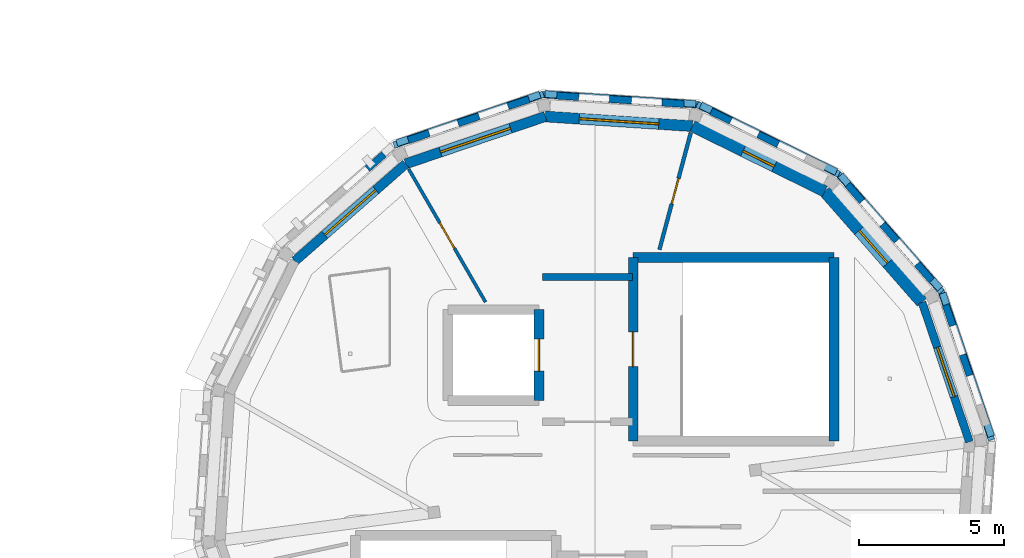
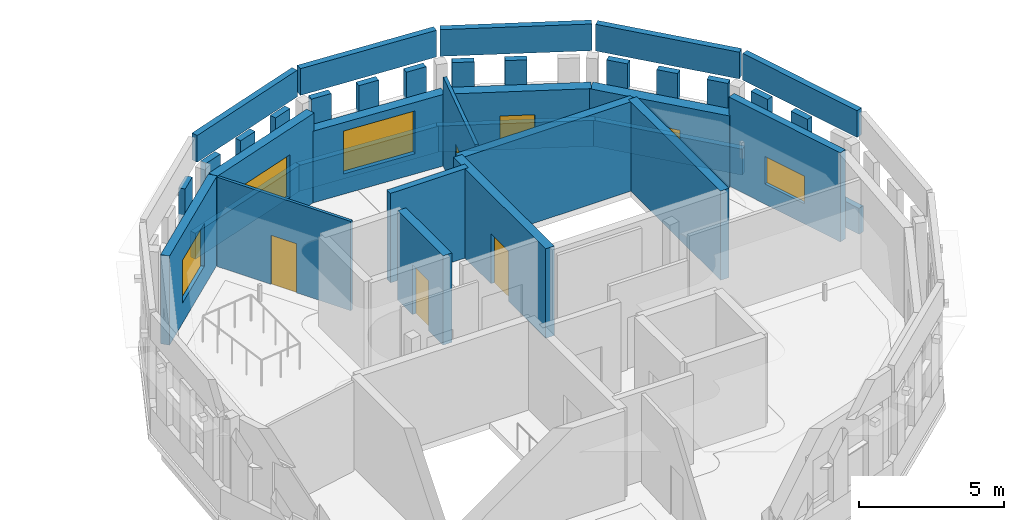
# One storey, part 15 of 18: 37 walls, 6 windows, 4 doors, 10 openings.
"""IFC4 building model written with IfcOpenShell, lengths in metres."""

from ifc_helpers import new_model, si_unit, direction, frame, frame_2d, origin, place, context, subcontext, project, spatial, rectangle, extrude, material, layer, layer_set, type_object, element, fill, save


model = new_model("IFC4")

# Units and contexts
model_context = context("Model", 3, precision=1e-05, world=origin(), true_north=direction((0.0, 1.0)))
body_context = subcontext(model_context, "Body", "Model", "MODEL_VIEW")
ifc_project = project(units=[si_unit("LENGTHUNIT", "METRE"), si_unit("AREAUNIT", "SQUARE_METRE"), si_unit("VOLUMEUNIT", "CUBIC_METRE"), si_unit("PLANEANGLEUNIT", "RADIAN"), si_unit("MASSUNIT", "GRAM", prefix="KILO")], contexts=[model_context])

# Site, building, storey
site_placement = place(None, origin())
site = spatial("IfcSite", under=ifc_project, at=site_placement, CompositionType="ELEMENT")
building_placement = place(site_placement, origin())
building = spatial("IfcBuilding", under=site, at=building_placement, Name="Wrenclough Park School", CompositionType="ELEMENT")
storey_placement = place(building_placement, frame((0.0, 0.0, 20.800048828125)))
storey = spatial("IfcBuildingStorey", under=building, at=storey_placement, Name="L05", CompositionType="ELEMENT", Elevation=20.800048828125)

# Walls
ifc_material_1 = material(Name="Perforated open-bond Staffordshire and Manchester brick screen pier", Category="masonry")
ifc_layer_1 = layer(ifc_material_1, 0.2451171875)
ifc_layer_set_1 = layer_set([ifc_layer_1], Name="Perforated open-bond Staffordshire and Manchester brick screen pier")
wall_type_1 = type_object("IfcWallType", Name="ENV-BS-PR245", PredefinedType="ELEMENTEDWALL", material=ifc_layer_set_1)
for number, where, z_axis, x_axis, name in (
    (1, (187.4541015625, 97.49609375, 1.08984375), (0.0, 0.0, 1.0), (-0.321620473335, 0.946868666253, 0.0), "D5 L05 perforated brick screen pier 1006"),
    (2, (186.868896484375, 99.22021484375, 1.08984375), (0.0, 0.0, 1.0), (-0.321620473335, 0.946868666253, 0.0), "D5 L05 perforated brick screen pier 1007"),
):
    element("IfcWall", number, at=place(storey_placement, frame(where, z_axis=z_axis, x_axis=x_axis)), inside=storey, type_object=wall_type_1, Name=name, PredefinedType="ELEMENTEDWALL", context=body_context, shape_type="SweptSolid", body=[
        extrude(rectangle(XDim=0.759765625, YDim=0.2451171875, at=frame_2d((0.3798828125, 0.0))), origin(), (0.0, 0.0, 1.0), 2.650146484375),
    ])
wall_1_placement = place(storey_placement, frame((186.139404296875, 100.780029296875, 1.08984375), z_axis=(0.0, 0.0, 1.0), x_axis=(-0.659345470196, 0.751840109951, 0.0)))
element("IfcWall", 3, at=wall_1_placement, inside=storey, type_object=wall_type_1, Name="D5 L05 perforated brick screen pier 1008", PredefinedType="ELEMENTEDWALL", context=body_context, shape_type="SweptSolid", body=[
    extrude(rectangle(XDim=0.76025390625, YDim=0.2451171875, at=frame_2d((0.380126953125, 0.0))), origin(), (0.0, 0.0, 1.0), 2.650146484375),
])
wall_2_placement = place(storey_placement, frame((184.938720703125, 102.149169921875, 1.08984375), z_axis=(0.0, 0.0, 1.0), x_axis=(-0.659323125798, 0.751859704857, 0.0)))
element("IfcWall", 4, at=wall_2_placement, inside=storey, type_object=wall_type_1, Name="D5 L05 perforated brick screen pier 1009", PredefinedType="ELEMENTEDWALL", context=body_context, shape_type="SweptSolid", body=[
    extrude(rectangle(XDim=0.759765625, YDim=0.2451171875, at=frame_2d((0.3798828125, 0.0))), origin(), (0.0, 0.0, 1.0), 2.650146484375),
])
for number, where, z_axis, x_axis, name in (
    (5, (183.73828125, 103.51806640625, 1.08984375), (0.0, 0.0, 1.0), (-0.659504701015, 0.751700438565, 0.0), "D5 L05 perforated brick screen pier 1010"),
    (6, (180.834228515625, 105.485595703125, 1.08984375), (0.0, 0.0, 1.0), (-0.896982570774, 0.442065908805, 0.0), "D5 L05 perforated brick screen pier 1012"),
    (7, (179.201171875, 106.290771484375, 1.08984375), (0.0, 0.0, 1.0), (-0.896855160379, 0.442324339485, 0.0), "D5 L05 perforated brick screen pier 1013"),
):
    element("IfcWall", number, at=place(storey_placement, frame(where, z_axis=z_axis, x_axis=x_axis)), inside=storey, type_object=wall_type_1, Name=name, PredefinedType="ELEMENTEDWALL", context=body_context, shape_type="SweptSolid", body=[
        extrude(rectangle(XDim=0.760009765625, YDim=0.2451171875, at=frame_2d((0.3798828125, 0.0))), origin(), (0.0, 0.0, 1.0), 2.650146484375),
    ])
wall_3_placement = place(storey_placement, frame((177.58251953125, 106.878173828125, 1.08984375), z_axis=(0.0, 0.0, 1.0), x_axis=(-0.997872390908, 0.065197327118, 0.0)))
element("IfcWall", 8, at=wall_3_placement, inside=storey, type_object=wall_type_1, Name="D5 L05 perforated brick screen pier 1014", PredefinedType="ELEMENTEDWALL", context=body_context, shape_type="SweptSolid", body=[
    extrude(rectangle(XDim=0.76025390625, YDim=0.2451171875, at=frame_2d((0.380126953125, 0.0))), origin(), (0.0, 0.0, 1.0), 2.650146484375),
])
for number, where, z_axis, x_axis, name in (
    (9, (175.765380859375, 106.997314453125, 1.08984375), (0.0, 0.0, 1.0), (-0.997871025061, 0.065218228618, 0.0), "D5 L05 perforated brick screen pier 1015"),
    (10, (173.948486328125, 107.1162109375, 1.08984375), (0.0, 0.0, 1.0), (-0.997850066036, 0.065538124105, 0.0), "D5 L05 perforated brick screen pier 1016"),
    (11, (172.228271484375, 107.039306640625, 1.08984375), (0.0, 0.0, 1.0), (-0.946901886192, -0.321522655386, 0.0), "D5 L05 perforated brick screen pier 1017"),
):
    element("IfcWall", number, at=place(storey_placement, frame(where, z_axis=z_axis, x_axis=x_axis)), inside=storey, type_object=wall_type_1, Name=name, PredefinedType="ELEMENTEDWALL", context=body_context, shape_type="SweptSolid", body=[
        extrude(rectangle(XDim=0.760009765625, YDim=0.2451171875, at=frame_2d((0.3798828125, 0.0))), origin(), (0.0, 0.0, 1.0), 2.650146484375),
    ])
for number, where, z_axis, x_axis, name in (
    (12, (170.50390625, 106.4541015625, 1.08984375), (0.0, 0.0, 1.0), (-0.946868666253, -0.321620473335, 0.0), "D5 L05 perforated brick screen pier 1018"),
    (13, (168.77978515625, 105.868896484375, 1.08984375), (0.0, 0.0, 1.0), (-0.946868666253, -0.321620473335, 0.0), "D5 L05 perforated brick screen pier 1019"),
):
    element("IfcWall", number, at=place(storey_placement, frame(where, z_axis=z_axis, x_axis=x_axis)), inside=storey, type_object=wall_type_1, Name=name, PredefinedType="ELEMENTEDWALL", context=body_context, shape_type="SweptSolid", body=[
        extrude(rectangle(XDim=0.759765625, YDim=0.2451171875, at=frame_2d((0.3798828125, 0.0))), origin(), (0.0, 0.0, 1.0), 2.650146484375),
    ])
wall_4_placement = place(storey_placement, frame((167.219970703125, 105.139404296875, 1.08984375), z_axis=(0.0, 0.0, 1.0), x_axis=(-0.751840109951, -0.659345470196, 0.0)))
element("IfcWall", 14, at=wall_4_placement, inside=storey, type_object=wall_type_1, Name="D5 L05 perforated brick screen pier 1020", PredefinedType="ELEMENTEDWALL", context=body_context, shape_type="SweptSolid", body=[
    extrude(rectangle(XDim=0.76025390625, YDim=0.2451171875, at=frame_2d((0.380126953125, 0.0))), origin(), (0.0, 0.0, 1.0), 2.650146484375),
])
ifc_material_2 = material(Name="Open-bond Manchester multi-stock brick spandrel screen", Category="masonry")
ifc_layer_2 = layer(ifc_material_2, 0.22509765625)
ifc_layer_set_2 = layer_set([ifc_layer_2], Name="Open-bond Manchester multi-stock brick spandrel screen")
wall_type_2 = type_object("IfcWallType", Name="ENV-BS-SP225", PredefinedType="ELEMENTEDWALL", material=ifc_layer_set_2)
for number, where, z_axis, x_axis, name in (
    (15, (188.209716796875, 95.26953125, 0.0), (0.0, 0.0, 1.0), (-0.321398691789, 0.946943969259, 0.0), "D5 L05 open-bond brick screen spandrel 0281"),
    (16, (186.489013671875, 100.38134765625, 0.0), (0.0, 0.0, 1.0), (-0.659333231933, 0.751850842434, 0.0), "D5 L05 open-bond brick screen spandrel 0282"),
    (17, (182.943115234375, 104.445556640625, 0.0), (0.0, 0.0, 1.0), (-0.896871842035, 0.442290514216, 0.0), "D5 L05 open-bond brick screen spandrel 0283"),
):
    element("IfcWall", number, at=place(storey_placement, frame(where, z_axis=z_axis, x_axis=x_axis)), inside=storey, type_object=wall_type_2, Name=name, PredefinedType="ELEMENTEDWALL", context=body_context, shape_type="SweptSolid", body=[
        extrude(rectangle(XDim=5.46240234375, YDim=0.22509765625, at=frame_2d((2.731201171875, 0.0))), origin(), (0.0, 0.0, 1.0), 1.08984375),
    ])
wall_5_placement = place(storey_placement, frame((178.11181640625, 106.843505859375, 0.0), z_axis=(0.0, 0.0, 1.0), x_axis=(-0.997860057416, 0.065385822726, 0.0)))
element("IfcWall", 18, at=wall_5_placement, inside=storey, type_object=wall_type_2, Name="D5 L05 open-bond brick screen spandrel 0284", PredefinedType="ELEMENTEDWALL", context=body_context, shape_type="SweptSolid", body=[
    extrude(rectangle(XDim=5.462646484375, YDim=0.22509765625, at=frame_2d((2.7314453125, 0.0))), origin(), (0.0, 0.0, 1.0), 1.08984375),
])
wall_6_placement = place(storey_placement, frame((172.73046875, 107.209716796875, 0.0), z_axis=(0.0, 0.0, 1.0), x_axis=(-0.946943969259, -0.321398691789, 0.0)))
element("IfcWall", 19, at=wall_6_placement, inside=storey, type_object=wall_type_2, Name="D5 L05 open-bond brick screen spandrel 0285", PredefinedType="ELEMENTEDWALL", context=body_context, shape_type="SweptSolid", body=[
    extrude(rectangle(XDim=5.46240234375, YDim=0.22509765625, at=frame_2d((2.731201171875, 0.0))), origin(), (0.0, 0.0, 1.0), 1.08984375),
])

# Wall, opening, window
ifc_material_3 = material(Name="Link wing brick-faced cavity wall Concrete C32/40", Category="masonry")
ifc_layer_3 = layer(ifc_material_3, 0.27490234375)
ifc_layer_set_3 = layer_set([ifc_layer_3], Name="Link wing brick-faced cavity wall Concrete C32/40")
wall_type_3 = type_object("IfcWallType", Name="ENV-EW-275", PredefinedType="SOLIDWALL", material=ifc_layer_set_3)
wall_7_placement = place(storey_placement, frame((185.808349609375, 100.02880859375, 0.0), z_axis=(0.0, 0.0, 1.0), x_axis=(0.321398403796, -0.946944067006, 0.0)))
wall_7 = element("IfcWall", 20, at=wall_7_placement, inside=storey, type_object=wall_type_3, Name="L05 insulated brick external wall 0406", PredefinedType="SOLIDWALL", context=body_context, shape_type="SweptSolid", body=[
    extrude(rectangle(XDim=5.0947265625, YDim=0.27490234375, at=frame_2d((2.54736328125, 0.0))), origin(), (0.0, 0.0, 1.0), 3.739990234375),
])
opening_1_placement = place(wall_7_placement, frame((1.6474609375, 0.0, 0.85009765625)))
opening_1 = element("IfcOpeningElement", 21, at=opening_1_placement, cuts=wall_7, Name="Opening WN-39", PredefinedType="OPENING", context=body_context, shape_type="SweptSolid", body=[
    extrude(rectangle(XDim=1.800048828125, YDim=1.14990234375, at=frame_2d((0.89990234375, 0.574951171875))), frame((0.0, 0.1474609375, 0.0), z_axis=(0.0, -1.0, 0.0), x_axis=(1.0, 0.0, 0.0)), (0.0, 0.0, 1.0), 0.294921875),
])
ifc_material_4 = material(Name="Thermally broken aluminium and double-glazed low-e glass", Category="aluminium")
window_type_1 = type_object("IfcWindowType", Name="ENV-WN-39", PartitioningType="DOUBLE_PANEL_VERTICAL", PredefinedType="WINDOW", material=ifc_material_4)
window_1_placement = place(opening_1_placement, origin())
window_1 = element("IfcWindow", 22, at=window_1_placement, inside=storey, type_object=window_type_1, Name="L05 scheduled facade window 0654", OverallHeight=1.14990234375, OverallWidth=1.800048828125, PartitioningType="SINGLE_PANEL", PredefinedType="WINDOW", context=body_context, shape_type="SweptSolid", body=[
    extrude(rectangle(XDim=1.800048828125, YDim=1.14990234375, at=frame_2d((0.89990234375, 0.574951171875))), frame((0.0, 0.030029296875, 0.0), z_axis=(0.0, -1.0, 0.0), x_axis=(1.0, 0.0, 0.0)), (0.0, 0.0, 1.0), 0.06005859375),
])
fill(opening_1, window_1)

ifc_material_5 = material(Name="Manchester multi-stock brick and Concrete C32/40 inner leaf", Category="masonry")
ifc_layer_4 = layer(ifc_material_5, 0.324951171875)
ifc_layer_set_4 = layer_set([ifc_layer_4], Name="Manchester multi-stock brick and Concrete C32/40 inner leaf")
wall_type_4 = type_object("IfcWallType", Name="ENV-EW-325", PredefinedType="SOLIDWALL", material=ifc_layer_set_4)
wall_8_placement = place(storey_placement, frame((164.140625, 101.44921875, 0.0), z_axis=(0.0, 0.0, 1.0), x_axis=(0.751857877577, 0.659325209533, 0.0)))
wall_8 = element("IfcWall", 23, at=wall_8_placement, inside=storey, type_object=wall_type_4, Name="L05 insulated brick external wall 0401", PredefinedType="SOLIDWALL", context=body_context, shape_type="SweptSolid", body=[
    extrude(rectangle(XDim=5.0947265625, YDim=0.324951171875, at=frame_2d((2.54736328125, 0.0))), origin(), (0.0, 0.0, 1.0), 3.739990234375),
])
opening_2_placement = place(wall_8_placement, frame((1.372314453125, 0.0, 0.85009765625)))
opening_2 = element("IfcOpeningElement", 24, at=opening_2_placement, cuts=wall_8, Name="Opening WN-34", PredefinedType="OPENING", context=body_context, shape_type="SweptSolid", body=[
    extrude(rectangle(XDim=2.35009765625, YDim=1.800048828125, at=frame_2d((1.175048828125, 0.89990234375))), frame((0.0, 0.17236328125, 0.0), z_axis=(0.0, -1.0, 0.0), x_axis=(1.0, 0.0, 0.0)), (0.0, 0.0, 1.0), 0.344970703125),
])
window_type_2 = type_object("IfcWindowType", Name="ENV-WN-34", PartitioningType="DOUBLE_PANEL_VERTICAL", PredefinedType="WINDOW", material=ifc_material_4)
window_2_placement = place(opening_2_placement, origin())
window_2 = element("IfcWindow", 25, at=window_2_placement, inside=storey, type_object=window_type_2, Name="L05 scheduled facade window 0649", OverallHeight=1.800048828125, OverallWidth=2.35009765625, PartitioningType="SINGLE_PANEL", PredefinedType="WINDOW", context=body_context, shape_type="SweptSolid", body=[
    extrude(rectangle(XDim=2.35009765625, YDim=1.800048828125, at=frame_2d((1.175048828125, 0.89990234375))), frame((0.0, 0.030029296875, 0.0), z_axis=(0.0, -1.0, 0.0), x_axis=(1.0, 0.0, 0.0)), (0.0, 0.0, 1.0), 0.06005859375),
])
fill(opening_2, window_2)

ifc_material_6 = material(Name="Staffordshire blue-grey brick and Concrete C35/45 inner leaf", Category="masonry")
ifc_layer_5 = layer(ifc_material_6, 0.35009765625)
ifc_layer_set_5 = layer_set([ifc_layer_5], Name="Staffordshire blue-grey brick and Concrete C35/45 inner leaf")
wall_type_5 = type_object("IfcWallType", Name="ENV-EW-350", PredefinedType="SOLIDWALL", material=ifc_layer_set_5)
wall_9_placement = place(storey_placement, frame((167.97119140625, 104.808349609375, 0.0), z_axis=(0.0, 0.0, 1.0), x_axis=(0.946944067006, 0.321398403796, 0.0)))
wall_9 = element("IfcWall", 26, at=wall_9_placement, inside=storey, type_object=wall_type_5, Name="L05 insulated brick external wall 0402", PredefinedType="SOLIDWALL", context=body_context, shape_type="SweptSolid", body=[
    extrude(rectangle(XDim=5.0947265625, YDim=0.35009765625, at=frame_2d((2.54736328125, 0.0))), origin(), (0.0, 0.0, 1.0), 3.739990234375),
])
opening_3_placement = place(wall_9_placement, frame((1.2724609375, 0.0, 0.85009765625)))
opening_3 = element("IfcOpeningElement", 27, at=opening_3_placement, cuts=wall_9, Name="Opening WN-35", PredefinedType="OPENING", context=body_context, shape_type="SweptSolid", body=[
    extrude(rectangle(XDim=2.550048828125, YDim=1.800048828125, at=frame_2d((1.27490234375, 0.89990234375))), frame((0.0, 0.18505859375, 0.0), z_axis=(0.0, -1.0, 0.0), x_axis=(1.0, 0.0, 0.0)), (0.0, 0.0, 1.0), 0.3701171875),
])
window_type_3 = type_object("IfcWindowType", Name="ENV-WN-35", PartitioningType="DOUBLE_PANEL_VERTICAL", PredefinedType="WINDOW", material=ifc_material_4)
window_3_placement = place(opening_3_placement, origin())
window_3 = element("IfcWindow", 28, at=window_3_placement, inside=storey, type_object=window_type_3, Name="L05 scheduled facade window 0650", OverallHeight=1.800048828125, OverallWidth=2.550048828125, PartitioningType="SINGLE_PANEL", PredefinedType="WINDOW", context=body_context, shape_type="SweptSolid", body=[
    extrude(rectangle(XDim=2.550048828125, YDim=1.800048828125, at=frame_2d((1.27490234375, 0.89990234375))), frame((0.0, 0.030029296875, 0.0), z_axis=(0.0, -1.0, 0.0), x_axis=(1.0, 0.0, 0.0)), (0.0, 0.0, 1.0), 0.06005859375),
])
fill(opening_3, window_3)

ifc_material_7 = material(Name="Manchester multi-stock brick and Concrete C35/45 inner leaf", Category="masonry")
ifc_layer_6 = layer(ifc_material_7, 0.3798828125)
ifc_layer_set_6 = layer_set([ifc_layer_6], Name="Manchester multi-stock brick and Concrete C35/45 inner leaf")
wall_type_6 = type_object("IfcWallType", Name="ENV-EW-380", PredefinedType="SOLIDWALL", material=ifc_layer_set_6)
wall_10_placement = place(storey_placement, frame((172.795654296875, 106.44580078125, 0.0), z_axis=(0.0, 0.0, 1.0), x_axis=(0.99786146052, -0.065364406289, 0.0)))
wall_10 = element("IfcWall", 29, at=wall_10_placement, inside=storey, type_object=wall_type_6, Name="L05 insulated brick external wall 0403", PredefinedType="SOLIDWALL", context=body_context, shape_type="SweptSolid", body=[
    extrude(rectangle(XDim=5.0947265625, YDim=0.3798828125, at=frame_2d((2.54736328125, 0.0))), origin(), (0.0, 0.0, 1.0), 3.0068359375),
])
opening_4_placement = place(wall_10_placement, frame((1.17236328125, 0.0, 0.85009765625)))
opening_4 = element("IfcOpeningElement", 30, at=opening_4_placement, cuts=wall_10, Name="Opening WN-36", PredefinedType="OPENING", context=body_context, shape_type="SweptSolid", body=[
    extrude(rectangle(XDim=2.75, YDim=1.800048828125, at=frame_2d((1.375, 0.89990234375))), frame((0.0, 0.199951171875, 0.0), z_axis=(0.0, -1.0, 0.0), x_axis=(1.0, 0.0, 0.0)), (0.0, 0.0, 1.0), 0.39990234375),
])
window_type_4 = type_object("IfcWindowType", Name="ENV-WN-36", PartitioningType="DOUBLE_PANEL_VERTICAL", PredefinedType="WINDOW", material=ifc_material_4)
window_4_placement = place(opening_4_placement, origin())
window_4 = element("IfcWindow", 31, at=window_4_placement, inside=storey, type_object=window_type_4, Name="L05 scheduled facade window 0651", OverallHeight=1.800048828125, OverallWidth=2.75, PartitioningType="SINGLE_PANEL", PredefinedType="WINDOW", context=body_context, shape_type="SweptSolid", body=[
    extrude(rectangle(XDim=2.75, YDim=1.800048828125, at=frame_2d((1.375, 0.89990234375))), frame((0.0, 0.030029296875, 0.0), z_axis=(0.0, -1.0, 0.0), x_axis=(1.0, 0.0, 0.0)), (0.0, 0.0, 1.0), 0.06005859375),
])
fill(opening_4, window_4)

ifc_material_8 = material(Name="Staffordshire blue-grey brick and Concrete C40/50 acoustic leaf", Category="masonry")
ifc_layer_7 = layer(ifc_material_8, 0.39990234375)
ifc_layer_set_7 = layer_set([ifc_layer_7], Name="Staffordshire blue-grey brick and Concrete C40/50 acoustic leaf")
wall_type_7 = type_object("IfcWallType", Name="ENV-EW-400", PredefinedType="SOLIDWALL", material=ifc_layer_set_7)
wall_11_placement = place(storey_placement, frame((177.87939453125, 106.11279296875, 0.0), z_axis=(0.0, 0.0, 1.0), x_axis=(0.896885971635, -0.442261861213, 0.0)))
wall_11 = element("IfcWall", 32, at=wall_11_placement, inside=storey, type_object=wall_type_7, Name="L05 insulated brick external wall 0404", PredefinedType="SOLIDWALL", context=body_context, shape_type="SweptSolid", body=[
    extrude(rectangle(XDim=5.09521484375, YDim=0.39990234375, at=frame_2d((2.547607421875, 0.0))), origin(), (0.0, 0.0, 1.0), 3.0068359375),
])
opening_5_placement = place(wall_11_placement, frame((1.947509765625, 0.0, 0.85009765625)))
opening_5 = element("IfcOpeningElement", 33, at=opening_5_placement, cuts=wall_11, Name="Opening WN-37", PredefinedType="OPENING", context=body_context, shape_type="SweptSolid", body=[
    extrude(rectangle(XDim=1.199951171875, YDim=1.14990234375, at=frame_2d((0.60009765625, 0.574951171875))), frame((0.0, 0.2099609375, 0.0), z_axis=(0.0, -1.0, 0.0), x_axis=(1.0, 0.0, 0.0)), (0.0, 0.0, 1.0), 0.419921875),
])
window_type_5 = type_object("IfcWindowType", Name="ENV-WN-37", PartitioningType="SINGLE_PANEL", PredefinedType="WINDOW", material=ifc_material_4)
window_5_placement = place(opening_5_placement, origin())
window_5 = element("IfcWindow", 34, at=window_5_placement, inside=storey, type_object=window_type_5, Name="L05 scheduled facade window 0652", OverallHeight=1.14990234375, OverallWidth=1.199951171875, PartitioningType="SINGLE_PANEL", PredefinedType="WINDOW", context=body_context, shape_type="SweptSolid", body=[
    extrude(rectangle(XDim=1.199951171875, YDim=1.14990234375, at=frame_2d((0.60009765625, 0.574951171875))), frame((0.0, 0.030029296875, 0.0), z_axis=(0.0, -1.0, 0.0), x_axis=(1.0, 0.0, 0.0)), (0.0, 0.0, 1.0), 0.06005859375),
])
fill(opening_5, window_5)

ifc_material_9 = material(Name="Insulated brick-clad sports hall wall Concrete C40/50", Category="masonry")
ifc_layer_8 = layer(ifc_material_9, 0.425048828125)
ifc_layer_set_8 = layer_set([ifc_layer_8], Name="Insulated brick-clad sports hall wall Concrete C40/50")
wall_type_8 = type_object("IfcWallType", Name="ENV-EW-425", PredefinedType="SOLIDWALL", material=ifc_layer_set_8)
wall_12_placement = place(storey_placement, frame((182.44921875, 103.859375, 0.0), z_axis=(0.0, 0.0, 1.0), x_axis=(0.659325209533, -0.751857877577, 0.0)))
wall_12 = element("IfcWall", 35, at=wall_12_placement, inside=storey, type_object=wall_type_8, Name="L05 insulated brick external wall 0405", PredefinedType="SOLIDWALL", context=body_context, shape_type="SweptSolid", body=[
    extrude(rectangle(XDim=5.0947265625, YDim=0.425048828125, at=frame_2d((2.54736328125, 0.0))), origin(), (0.0, 0.0, 1.0), 3.0068359375),
])
opening_6_placement = place(wall_12_placement, frame((1.79736328125, 0.0, 0.85009765625)))
opening_6 = element("IfcOpeningElement", 36, at=opening_6_placement, cuts=wall_12, Name="Opening WN-38", PredefinedType="OPENING", context=body_context, shape_type="SweptSolid", body=[
    extrude(rectangle(XDim=1.5, YDim=1.14990234375, at=frame_2d((0.75, 0.574951171875))), frame((0.0, 0.222412109375, 0.0), z_axis=(0.0, -1.0, 0.0), x_axis=(1.0, 0.0, 0.0)), (0.0, 0.0, 1.0), 0.445068359375),
])
window_type_6 = type_object("IfcWindowType", Name="ENV-WN-38", PartitioningType="DOUBLE_PANEL_VERTICAL", PredefinedType="WINDOW", material=ifc_material_4)
window_6_placement = place(opening_6_placement, origin())
window_6 = element("IfcWindow", 37, at=window_6_placement, inside=storey, type_object=window_type_6, Name="L05 scheduled facade window 0653", OverallHeight=1.14990234375, OverallWidth=1.5, PartitioningType="SINGLE_PANEL", PredefinedType="WINDOW", context=body_context, shape_type="SweptSolid", body=[
    extrude(rectangle(XDim=1.5, YDim=1.14990234375, at=frame_2d((0.75, 0.574951171875))), frame((0.0, 0.030029296875, 0.0), z_axis=(0.0, -1.0, 0.0), x_axis=(1.0, 0.0, 0.0)), (0.0, 0.0, 1.0), 0.06005859375),
])
fill(opening_6, window_6)

# Walls
ifc_material_10 = material(Name="Capped Manchester multi-stock brick parapet", Category="masonry")
ifc_layer_9 = layer(ifc_material_10, 0.239990234375)
ifc_layer_set_9 = layer_set([ifc_layer_9], Name="Capped Manchester multi-stock brick parapet")
wall_type_9 = type_object("IfcWallType", Name="ENV-PW-240", PredefinedType="PARAPET", material=ifc_layer_set_9)
wall_13_placement = place(storey_placement, frame((188.19970703125, 95.392822265625, 4.0), z_axis=(0.0, 0.0, 1.0), x_axis=(-0.321440074474, 0.946929922709, 0.0)))
element("IfcWall", 38, at=wall_13_placement, inside=storey, type_object=wall_type_9, Name="D5-ROOF cylindrical drum parapet wall 096", PredefinedType="PARAPET", context=body_context, shape_type="SweptSolid", body=[
    extrude(rectangle(XDim=5.222412109375, YDim=0.239990234375, at=frame_2d((2.611328125, 0.0))), origin(), (0.0, 0.0, 1.0), 1.119873046875),
])
wall_14_placement = place(storey_placement, frame((186.4326171875, 100.4912109375, 4.0), z_axis=(0.0, 0.0, 1.0), x_axis=(-0.659361340355, 0.751826191912, 0.0)))
element("IfcWall", 39, at=wall_14_placement, inside=storey, type_object=wall_type_9, Name="D5-ROOF cylindrical drum parapet wall 097", PredefinedType="PARAPET", context=body_context, shape_type="SweptSolid", body=[
    extrude(rectangle(XDim=5.22265625, YDim=0.239990234375, at=frame_2d((2.611328125, 0.0))), origin(), (0.0, 0.0, 1.0), 1.119873046875),
])
wall_15_placement = place(storey_placement, frame((182.8486328125, 104.525390625, 4.0), z_axis=(0.0, 0.0, 1.0), x_axis=(-0.896854104277, 0.442326480827, 0.0)))
element("IfcWall", 40, at=wall_15_placement, inside=storey, type_object=wall_type_9, Name="D5-ROOF cylindrical drum parapet wall 098", PredefinedType="PARAPET", context=body_context, shape_type="SweptSolid", body=[
    extrude(rectangle(XDim=5.222412109375, YDim=0.239990234375, at=frame_2d((2.611328125, 0.0))), origin(), (0.0, 0.0, 1.0), 1.119873046875),
])
wall_16_placement = place(storey_placement, frame((177.993896484375, 106.881103515625, 4.0), z_axis=(0.0, 0.0, 1.0), x_axis=(-0.997859200116, 0.065398904758, 0.0)))
element("IfcWall", 41, at=wall_16_placement, inside=storey, type_object=wall_type_9, Name="D5-ROOF cylindrical drum parapet wall 099", PredefinedType="PARAPET", context=body_context, shape_type="SweptSolid", body=[
    extrude(rectangle(XDim=5.22265625, YDim=0.239990234375, at=frame_2d((2.611328125, 0.0))), origin(), (0.0, 0.0, 1.0), 1.119873046875),
])
wall_17_placement = place(storey_placement, frame((172.607177734375, 107.19970703125, 4.0), z_axis=(0.0, 0.0, 1.0), x_axis=(-0.946929922709, -0.321440074474, 0.0)))
element("IfcWall", 42, at=wall_17_placement, inside=storey, type_object=wall_type_9, Name="D5-ROOF cylindrical drum parapet wall 100", PredefinedType="PARAPET", context=body_context, shape_type="SweptSolid", body=[
    extrude(rectangle(XDim=5.222412109375, YDim=0.239990234375, at=frame_2d((2.611328125, 0.0))), origin(), (0.0, 0.0, 1.0), 1.119873046875),
])
ifc_material_11 = material(Name="Concrete C35/45", Category="concrete")
ifc_layer_10 = layer(ifc_material_11, 0.25)
ifc_layer_set_10 = layer_set([ifc_layer_10], Name="Concrete C35/45")
wall_type_10 = type_object("IfcWallType", Name="INT-CW-250", PredefinedType="SHEAR", material=ifc_layer_set_10)
wall_18_placement = place(storey_placement, frame((175.800048828125, 100.89990234375, 0.0), z_axis=(0.0, 0.0, 1.0), x_axis=(-1.0, 0.0, 0.0)))
element("IfcWall", 43, at=wall_18_placement, inside=storey, type_object=wall_type_10, Name="Core C6 L05 lobby fire wall north", PredefinedType="SHEAR", context=body_context, shape_type="SweptSolid", body=[
    extrude(rectangle(XDim=3.10009765625, YDim=0.25, at=frame_2d((1.550048828125, 0.0))), origin(), (0.0, 0.0, 1.0), 3.75),
])
ifc_material_12 = material(Name="Concrete C40/50", Category="concrete")
ifc_layer_11 = layer(ifc_material_12, 0.340087890625)
ifc_layer_set_11 = layer_set([ifc_layer_11], Name="Concrete C40/50")
wall_type_11 = type_object("IfcWallType", Name="INT-CW-340", PredefinedType="SHEAR", material=ifc_layer_set_11)
wall_19_placement = place(storey_placement, frame((182.77001953125, 95.22998046875, 0.0), z_axis=(0.0, 0.0, 1.0), x_axis=(0.0, 1.0, 0.0)))
element("IfcWall", 44, at=wall_19_placement, inside=storey, type_object=wall_type_11, Name="Core C6 L05 east shear wall", PredefinedType="SHEAR", context=body_context, shape_type="SweptSolid", body=[
    extrude(rectangle(XDim=6.340087890625, YDim=0.340087890625, at=frame_2d((3.169921875, 0.0))), origin(), (0.0, 0.0, 1.0), 3.75),
])
wall_20_placement = place(storey_placement, frame((182.77001953125, 101.570068359375, 0.0), z_axis=(0.0, 0.0, 1.0), x_axis=(-1.0, 0.0, 0.0)))
element("IfcWall", 45, at=wall_20_placement, inside=storey, type_object=wall_type_11, Name="Core C6 L05 north shear wall", PredefinedType="SHEAR", context=body_context, shape_type="SweptSolid", body=[
    extrude(rectangle(XDim=6.93994140625, YDim=0.340087890625, at=frame_2d((3.469970703125, 0.0))), origin(), (0.0, 0.0, 1.0), 3.75),
])

# Wall, opening, door
wall_21_placement = place(storey_placement, frame((175.830078125, 101.570068359375, 0.0), z_axis=(0.0, 0.0, 1.0), x_axis=(0.0, -1.0, 0.0)))
wall_21 = element("IfcWall", 46, at=wall_21_placement, inside=storey, type_object=wall_type_11, Name="Core C6 L05 west shear wall", PredefinedType="SHEAR", context=body_context, shape_type="SweptSolid", body=[
    extrude(rectangle(XDim=6.340087890625, YDim=0.340087890625, at=frame_2d((3.169921875, 0.0))), origin(), (0.0, 0.0, 1.0), 3.75),
])
opening_7_placement = place(wall_21_placement, frame((2.570068359375, 0.0, 0.0)))
opening_7 = element("IfcOpeningElement", 47, at=opening_7_placement, cuts=wall_21, Name="Opening DST-C6-L05", PredefinedType="OPENING", context=body_context, shape_type="SweptSolid", body=[
    extrude(rectangle(XDim=1.199951171875, YDim=2.10009765625, at=frame_2d((0.60009765625, 1.050048828125))), frame((0.0, 0.179931640625, 0.0), z_axis=(0.0, -1.0, 0.0), x_axis=(1.0, 0.0, 0.0)), (0.0, 0.0, 1.0), 0.360107421875),
])
ifc_material_13 = material(Name="Solid-core hardwood firefighting stair door assembly", Category="wood")
door_type_1 = type_object("IfcDoorType", Name="INT-DR-FF120", OperationType="NOTDEFINED", PredefinedType="DOOR", material=ifc_material_13)
door_1_placement = place(opening_7_placement, origin())
door_1 = element("IfcDoor", 48, at=door_1_placement, inside=storey, type_object=door_type_1, Name="Stair ST-06 L05 fire door", OperationType="SINGLE_SWING_RIGHT", OverallHeight=2.10009765625, OverallWidth=1.199951171875, PredefinedType="DOOR", context=body_context, shape_type="SweptSolid", body=[
    extrude(rectangle(XDim=1.199951171875, YDim=2.10009765625, at=frame_2d((0.60009765625, 1.050048828125))), frame((0.0, 0.02490234375, 0.0), z_axis=(0.0, -1.0, 0.0), x_axis=(1.0, 0.0, 0.0)), (0.0, 0.0, 1.0), 0.050048828125),
])
fill(opening_7, door_1)

wall_22_placement = place(storey_placement, frame((172.570068359375, 96.6298828125, 0.0), z_axis=(0.0, 0.0, 1.0), x_axis=(0.0, 1.0, 0.0)))
wall_22 = element("IfcWall", 49, at=wall_22_placement, inside=storey, type_object=wall_type_11, Name="Lift LFT-02 L05 east shaft wall", PredefinedType="SHEAR", context=body_context, shape_type="SweptSolid", body=[
    extrude(rectangle(XDim=3.14013671875, YDim=0.340087890625, at=frame_2d((1.570068359375, 0.0))), origin(), (0.0, 0.0, 1.0), 3.75),
])
opening_8_placement = place(wall_22_placement, frame((1.02001953125, 0.0, 0.0)))
opening_8 = element("IfcOpeningElement", 50, at=opening_8_placement, cuts=wall_22, Name="Opening LD-02-L05", PredefinedType="OPENING", context=body_context, shape_type="SweptSolid", body=[
    extrude(rectangle(XDim=1.10009765625, YDim=2.10009765625, at=frame_2d((0.550048828125, 1.050048828125))), frame((0.0, 0.179931640625, 0.0), z_axis=(0.0, -1.0, 0.0), x_axis=(1.0, 0.0, 0.0)), (0.0, 0.0, 1.0), 0.360107421875),
])
ifc_material_14 = material(Name="Brushed stainless steel", Category="steel")
door_type_2 = type_object("IfcDoorType", Name="INT-DR-LD110", OperationType="NOTDEFINED", PredefinedType="DOOR", material=ifc_material_14)
door_2_placement = place(opening_8_placement, frame((1.10009765625, 0.0, 0.0), z_axis=(0.0, 0.0, 1.0), x_axis=(-1.0, 0.0, 0.0)))
door_2 = element("IfcDoor", 51, at=door_2_placement, inside=storey, type_object=door_type_2, Name="Lift LFT-02 L05 sliding landing door", OperationType="DOUBLE_DOOR_SLIDING", OverallHeight=2.10009765625, OverallWidth=1.10009765625, PredefinedType="DOOR", context=body_context, shape_type="SweptSolid", body=[
    extrude(rectangle(XDim=1.10009765625, YDim=2.10009765625, at=frame_2d((0.550048828125, 1.050048828125))), frame((0.0, 0.02490234375, 0.0), z_axis=(0.0, -1.0, 0.0), x_axis=(1.0, 0.0, 0.0)), (0.0, 0.0, 1.0), 0.050048828125),
])
fill(opening_8, door_2)

ifc_material_15 = material(Name="Lightweight fire-rated store partition", Category="gypsum")
ifc_layer_12 = layer(ifc_material_15, 0.110107421875)
ifc_layer_set_12 = layer_set([ifc_layer_12], Name="Lightweight fire-rated store partition")
wall_type_12 = type_object("IfcWallType", Name="INT-PW-110", PredefinedType="PARTITIONING", material=ifc_layer_set_12)
wall_23_placement = place(storey_placement, frame((170.72705078125, 100.034912109375, 0.0), z_axis=(0.0, 0.0, 1.0), x_axis=(-0.500022392924, 0.866012474838, 0.0)))
wall_23 = element("IfcWall", 52, at=wall_23_placement, inside=storey, type_object=wall_type_12, Name="L05 internal partition 0513", PredefinedType="PARTITIONING", context=body_context, shape_type="SweptSolid", body=[
    extrude(rectangle(XDim=5.307861328125, YDim=0.110107421875, at=frame_2d((2.65380859375, 0.0))), origin(), (0.0, 0.0, 1.0), 3.75),
])
opening_9_placement = place(wall_23_placement, frame((2.143798828125, 0.0, 0.0)))
opening_9 = element("IfcOpeningElement", 53, at=opening_9_placement, cuts=wall_23, Name="Opening DR-L05-118", PredefinedType="OPENING", context=body_context, shape_type="SweptSolid", body=[
    extrude(rectangle(XDim=1.02001953125, YDim=2.06005859375, at=frame_2d((0.510009765625, 1.030029296875))), frame((0.0, 0.06494140625, 0.0), z_axis=(0.0, -1.0, 0.0), x_axis=(1.0, 0.0, 0.0)), (0.0, 0.0, 1.0), 0.130126953125),
])
ifc_material_16 = material(Name="Accessible WC outward-opening fire door assembly", Category="wood")
door_type_3 = type_object("IfcDoorType", Name="INT-DR-AWC102", OperationType="NOTDEFINED", PredefinedType="DOOR", material=ifc_material_16)
door_3_placement = place(opening_9_placement, origin())
door_3 = element("IfcDoor", 54, at=door_3_placement, inside=storey, type_object=door_type_3, Name="Accessible WC D5 Fifth door DR-L05-118", OperationType="SINGLE_SWING_LEFT", OverallHeight=2.06005859375, OverallWidth=1.02001953125, PredefinedType="DOOR", context=body_context, shape_type="SweptSolid", body=[
    extrude(rectangle(XDim=1.02001953125, YDim=2.06005859375, at=frame_2d((0.510009765625, 1.030029296875))), frame((0.0, 0.02490234375, 0.0), z_axis=(0.0, -1.0, 0.0), x_axis=(1.0, 0.0, 0.0)), (0.0, 0.0, 1.0), 0.050048828125),
])
fill(opening_9, door_3)

ifc_material_17 = material(Name="Standard fire-rated room partition", Category="gypsum")
ifc_layer_13 = layer(ifc_material_17, 0.1298828125)
ifc_layer_set_13 = layer_set([ifc_layer_13], Name="Standard fire-rated room partition")
wall_type_13 = type_object("IfcWallType", Name="INT-PW-130", PredefinedType="PARTITIONING", material=ifc_layer_set_13)
wall_24_placement = place(storey_placement, frame((177.8203125, 105.89111328125, 0.0), z_axis=(0.0, 0.0, 1.0), x_axis=(-0.258834164174, -0.965921775019, 0.0)))
wall_24 = element("IfcWall", 55, at=wall_24_placement, inside=storey, type_object=wall_type_13, Name="L05 internal partition 0518", PredefinedType="PARTITIONING", context=body_context, shape_type="SweptSolid", body=[
    extrude(rectangle(XDim=4.18896484375, YDim=0.1298828125, at=frame_2d((2.094482421875, 0.0))), origin(), (0.0, 0.0, 1.0), 3.75),
])
opening_10_placement = place(wall_24_placement, frame((1.644287109375, 0.0, 0.0)))
opening_10 = element("IfcOpeningElement", 56, at=opening_10_placement, cuts=wall_24, Name="Opening DR-L05-117", PredefinedType="OPENING", context=body_context, shape_type="SweptSolid", body=[
    extrude(rectangle(XDim=0.89990234375, YDim=2.050048828125, at=frame_2d((0.449951171875, 1.02490234375))), frame((0.0, 0.074951171875, 0.0), z_axis=(0.0, -1.0, 0.0), x_axis=(1.0, 0.0, 0.0)), (0.0, 0.0, 1.0), 0.14990234375),
])
ifc_material_18 = material(Name="Staff office fire-rated timber door assembly", Category="wood")
door_type_4 = type_object("IfcDoorType", Name="INT-DR-OFF090", OperationType="NOTDEFINED", PredefinedType="DOOR", material=ifc_material_18)
door_4_placement = place(opening_10_placement, origin())
door_4 = element("IfcDoor", 57, at=door_4_placement, inside=storey, type_object=door_type_4, Name="Sixth Form Leadership Staff Office door DR-L05-117", OperationType="SINGLE_SWING_RIGHT", OverallHeight=2.050048828125, OverallWidth=0.89990234375, PredefinedType="DOOR", context=body_context, shape_type="SweptSolid", body=[
    extrude(rectangle(XDim=0.89990234375, YDim=2.050048828125, at=frame_2d((0.449951171875, 1.02490234375))), frame((0.0, 0.02490234375, 0.0), z_axis=(0.0, -1.0, 0.0), x_axis=(1.0, 0.0, 0.0)), (0.0, 0.0, 1.0), 0.050048828125),
])
fill(opening_10, door_4)

save(model, "model.ifc")
